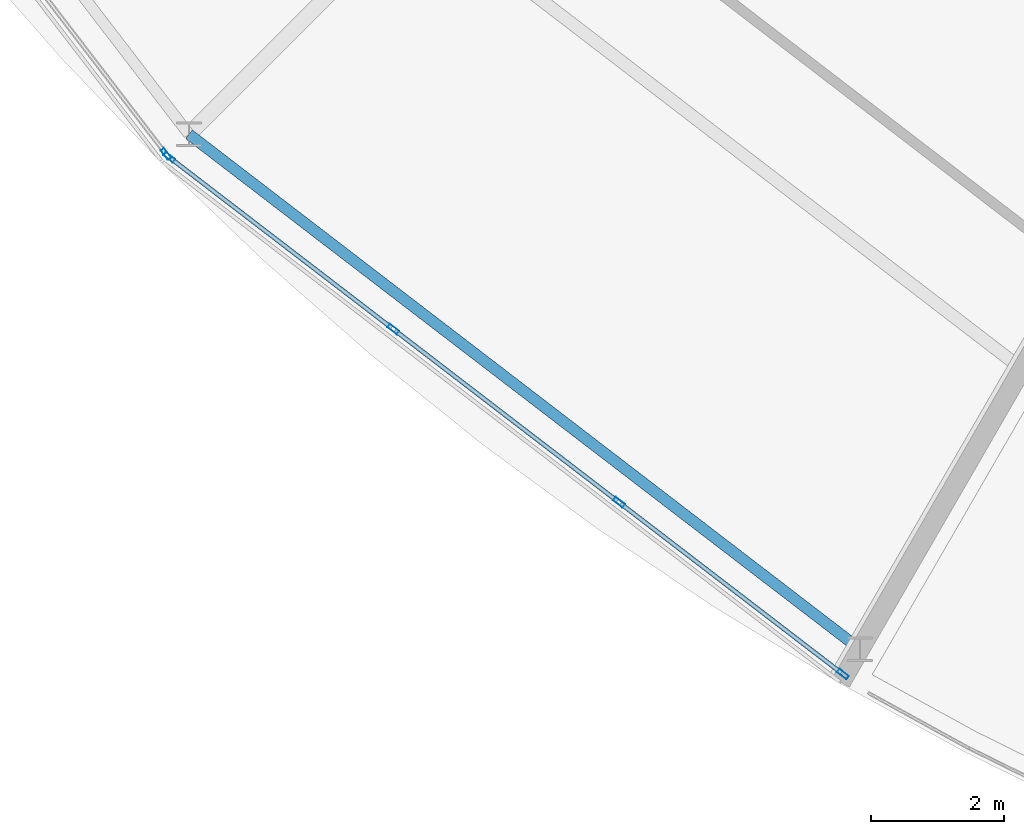
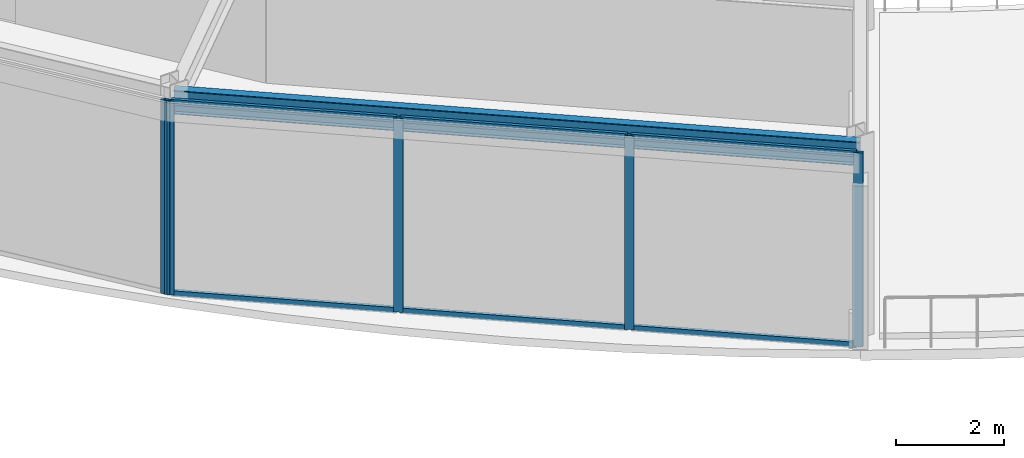
# One storey, part 26 of 157: 11 members, 1 beam, 2 elements without a shape of their own.
"""IFC4 building model written with IfcOpenShell, lengths in metres."""

from ifc_helpers import new_model, si_unit, direction, frame, origin, origin_2d, place, context, subcontext, project, spatial, hollow_rectangle, i_section, extrude, material, material_profile, profile_set, type_object, element, aggregate, save


model = new_model("IFC4")

# Units and contexts
model_context = context("Model", 3, precision=1e-05, world=origin(), true_north=direction((0.0, 1.0)))
body_context = subcontext(model_context, "Body", "Model", "MODEL_VIEW")
ifc_project = project(units=[si_unit("LENGTHUNIT", "METRE"), si_unit("AREAUNIT", "SQUARE_METRE"), si_unit("VOLUMEUNIT", "CUBIC_METRE"), si_unit("PLANEANGLEUNIT", "RADIAN"), si_unit("MASSUNIT", "GRAM", prefix="KILO")], contexts=[model_context])

# Site, building, storey
site_placement = place(None, origin())
site = spatial("IfcSite", under=ifc_project, at=site_placement, CompositionType="ELEMENT")
building_placement = place(site_placement, origin())
building = spatial("IfcBuilding", under=site, at=building_placement, Name="Almandine Court Research Institute", CompositionType="ELEMENT")
storey_placement = place(building_placement, frame((0.0, 0.0, 5.25)))
storey = spatial("IfcBuildingStorey", under=building, at=storey_placement, Name="L01", CompositionType="ELEMENT", Elevation=5.25)

# Beam
ifc_material_1 = material(Name="Steel ASTM A992 Grade 50", Category="steel")
ifc_material_profile_1 = material_profile(ifc_material_1, i_section(OverallWidth=0.166015625, OverallDepth=0.534912109375, WebThickness=0.010009765625, FlangeThickness=0.01708984375, at=origin_2d()), Name="W530x85")
ifc_profile_set_1 = profile_set([ifc_material_profile_1], Name="Steel ASTM A992 Grade 50")
beam_type = type_object("IfcBeamType", Name="Beam-G-05-E", PredefinedType="SPANDREL", material=ifc_profile_set_1)
beam_placement = place(storey_placement, frame((52.422119140625, 21.422119140625, 4.054931640625), z_axis=(0.793360662587, -0.608751886289, 0.0), x_axis=(0.608751886289, 0.793360662587, 0.0)))
element("IfcBeam", 1, at=beam_placement, inside=storey, type_object=beam_type, Name="L01 Drum OUT Ring Beam 15", PredefinedType="SPANDREL", context=body_context, shape_type="SweptSolid", body=[
    extrude(i_section(OverallWidth=0.166015625, OverallDepth=0.534912109375, WebThickness=0.010009765625, FlangeThickness=0.01708984375, at=origin_2d()), origin(), (0.0, 0.0, 1.0), 12.765869140625),
])

# Curtain wall, member
ifc_material_2 = material(Name="Unitised Curtain Wall Framing and Solar Glazing", Category="glass")
curtain_wall_type = type_object("IfcCurtainWallType", Name="CW-CWJ-19", PredefinedType="USERDEFINED", material=ifc_material_2)
curtain_wall_1_placement = place(storey_placement, origin())
curtain_wall_1 = element("IfcCurtainWall", 2, at=curtain_wall_1_placement, inside=storey, type_object=curtain_wall_type, Name="L01 Stacked-Ring Drum Outer Solar Jali Screen 14", ObjectType="SOLAR JALI SCREEN", PredefinedType="USERDEFINED")
ifc_material_3 = material(Name="Anodised Aluminium AW-6063-T6", Category="aluminium")
ifc_material_profile_2 = material_profile(ifc_material_3, hollow_rectangle(XDim=0.06494140625, YDim=0.179931640625, WallThickness=0.00390625, at=origin_2d()), Name="ALU RHS 65x180x4")
ifc_profile_set_2 = profile_set([ifc_material_profile_2], Name="Anodised Aluminium AW-6063-T6")
member_type_1 = type_object("IfcMemberType", Name="CWMul-65x180", PredefinedType="MULLION", material=ifc_profile_set_2)
member_1_placement = place(storey_placement, frame((52.07421875, 21.125732421875, 0.0), z_axis=(0.0, 0.0, 1.0), x_axis=(-0.793382586046, -0.608723313303, 0.0)))
member_1 = element("IfcMember", 3, at=member_1_placement, type_object=member_type_1, Name="CWJ-19 mullion 1", PredefinedType="MULLION", context=body_context, shape_type="SweptSolid", body=[
    extrude(hollow_rectangle(XDim=0.06494140625, YDim=0.179931640625, WallThickness=0.00390625, at=origin_2d()), origin(), (0.0, 0.0, 1.0), 4.3701171875),
])
aggregate(curtain_wall_1, [member_1])

# Curtain wall, members
curtain_wall_2_placement = place(storey_placement, origin())
curtain_wall_2 = element("IfcCurtainWall", 4, at=curtain_wall_2_placement, inside=storey, type_object=curtain_wall_type, Name="L01 Stacked-Ring Drum Outer Solar Jali Screen 15", ObjectType="SOLAR JALI SCREEN", PredefinedType="USERDEFINED")
member_2_placement = place(storey_placement, frame((62.291259765625, 13.27490234375, 0.0), z_axis=(0.0, 0.0, 1.0), x_axis=(-0.608723313303, -0.793382586046, 0.0)))
member_2 = element("IfcMember", 5, at=member_2_placement, type_object=member_type_1, Name="CWJ-19 mullion 1", PredefinedType="MULLION", context=body_context, shape_type="SweptSolid", body=[
    extrude(hollow_rectangle(XDim=0.06494140625, YDim=0.179931640625, WallThickness=0.00390625, at=origin_2d()), origin(), (0.0, 0.0, 1.0), 4.3701171875),
])
member_3_placement = place(storey_placement, frame((58.911376953125, 15.867919921875, 0.0), z_axis=(0.0, 0.0, 1.0), x_axis=(-0.608723313303, -0.793382586046, 0.0)))
member_3 = element("IfcMember", 6, at=member_3_placement, type_object=member_type_1, Name="CWJ-19 mullion 2", PredefinedType="MULLION", context=body_context, shape_type="SweptSolid", body=[
    extrude(hollow_rectangle(XDim=0.06494140625, YDim=0.179931640625, WallThickness=0.00390625, at=origin_2d()), origin(), (0.0, 0.0, 1.0), 4.3701171875),
])
member_4_placement = place(storey_placement, frame((55.505615234375, 18.48095703125, 0.0), z_axis=(0.0, 0.0, 1.0), x_axis=(-0.608723313303, -0.793382586046, 0.0)))
member_4 = element("IfcMember", 7, at=member_4_placement, type_object=member_type_1, Name="CWJ-19 mullion 3", PredefinedType="MULLION", context=body_context, shape_type="SweptSolid", body=[
    extrude(hollow_rectangle(XDim=0.06494140625, YDim=0.179931640625, WallThickness=0.00390625, at=origin_2d()), origin(), (0.0, 0.0, 1.0), 4.3701171875),
])
member_5_placement = place(storey_placement, frame((52.125732421875, 21.07421875, 0.0), z_axis=(0.0, 0.0, 1.0), x_axis=(-0.608723313303, -0.793382586046, 0.0)))
member_5 = element("IfcMember", 8, at=member_5_placement, type_object=member_type_1, Name="CWJ-19 mullion 4", PredefinedType="MULLION", context=body_context, shape_type="SweptSolid", body=[
    extrude(hollow_rectangle(XDim=0.06494140625, YDim=0.179931640625, WallThickness=0.00390625, at=origin_2d()), origin(), (0.0, 0.0, 1.0), 4.3701171875),
])
ifc_material_profile_3 = material_profile(ifc_material_3, hollow_rectangle(XDim=0.06494140625, YDim=0.1298828125, WallThickness=0.00390625, at=origin_2d()), Name="ALU RHS 65x130x4")
ifc_profile_set_3 = profile_set([ifc_material_profile_3], Name="Anodised Aluminium AW-6063-T6")
member_type_2 = type_object("IfcMemberType", Name="CWTrn-65x130", PredefinedType="NOTDEFINED", material=ifc_profile_set_3)
member_6_placement = place(storey_placement, frame((62.265380859375, 13.294677734375, 0.032470703125), z_axis=(-0.793408675449, 0.608689308041, 0.0), x_axis=(-0.608689308041, -0.793408675449, 0.0)))
member_6 = element("IfcMember", 9, at=member_6_placement, type_object=member_type_2, Name="CWJ-19 transom 1.1", ObjectType="TRANSOM", PredefinedType="USERDEFINED", context=body_context, shape_type="SweptSolid", body=[
    extrude(hollow_rectangle(XDim=0.06494140625, YDim=0.1298828125, WallThickness=0.00390625, at=origin_2d()), origin(), (0.0, 0.0, 1.0), 4.195068359375),
])
member_7_placement = place(storey_placement, frame((62.265380859375, 13.294677734375, 4.33740234375), z_axis=(-0.793408675449, 0.608689308041, 0.0), x_axis=(-0.608689308041, -0.793408675449, 0.0)))
member_7 = element("IfcMember", 10, at=member_7_placement, type_object=member_type_2, Name="CWJ-19 transom 1.2", ObjectType="TRANSOM", PredefinedType="USERDEFINED", context=body_context, shape_type="SweptSolid", body=[
    extrude(hollow_rectangle(XDim=0.06494140625, YDim=0.1298828125, WallThickness=0.00390625, at=origin_2d()), origin(), (0.0, 0.0, 1.0), 4.195068359375),
])
member_8_placement = place(storey_placement, frame((58.885498046875, 15.8876953125, 0.032470703125), z_axis=(-0.793368349931, 0.608741867566, 0.0), x_axis=(-0.608741867566, -0.793368349931, 0.0)))
member_8 = element("IfcMember", 11, at=member_8_placement, type_object=member_type_2, Name="CWJ-19 transom 2.1", ObjectType="TRANSOM", PredefinedType="USERDEFINED", context=body_context, shape_type="SweptSolid", body=[
    extrude(hollow_rectangle(XDim=0.06494140625, YDim=0.1298828125, WallThickness=0.00390625, at=origin_2d()), origin(), (0.0, 0.0, 1.0), 4.2275390625),
])
member_9_placement = place(storey_placement, frame((58.885498046875, 15.8876953125, 4.33740234375), z_axis=(-0.793368349931, 0.608741867566, 0.0), x_axis=(-0.608741867566, -0.793368349931, 0.0)))
member_9 = element("IfcMember", 12, at=member_9_placement, type_object=member_type_2, Name="CWJ-19 transom 2.2", ObjectType="TRANSOM", PredefinedType="USERDEFINED", context=body_context, shape_type="SweptSolid", body=[
    extrude(hollow_rectangle(XDim=0.06494140625, YDim=0.1298828125, WallThickness=0.00390625, at=origin_2d()), origin(), (0.0, 0.0, 1.0), 4.2275390625),
])
member_10_placement = place(storey_placement, frame((55.47998046875, 18.500732421875, 0.032470703125), z_axis=(-0.793380569658, 0.608725941364, 0.0), x_axis=(-0.608725941364, -0.793380569658, 0.0)))
member_10 = element("IfcMember", 13, at=member_10_placement, type_object=member_type_2, Name="CWJ-19 transom 3.1", ObjectType="TRANSOM", PredefinedType="USERDEFINED", context=body_context, shape_type="SweptSolid", body=[
    extrude(hollow_rectangle(XDim=0.06494140625, YDim=0.1298828125, WallThickness=0.00390625, at=origin_2d()), origin(), (0.0, 0.0, 1.0), 4.195068359375),
])
member_11_placement = place(storey_placement, frame((55.47998046875, 18.500732421875, 4.33740234375), z_axis=(-0.793380569658, 0.608725941364, 0.0), x_axis=(-0.608725941364, -0.793380569658, 0.0)))
member_11 = element("IfcMember", 14, at=member_11_placement, type_object=member_type_2, Name="CWJ-19 transom 3.2", ObjectType="TRANSOM", PredefinedType="USERDEFINED", context=body_context, shape_type="SweptSolid", body=[
    extrude(hollow_rectangle(XDim=0.06494140625, YDim=0.1298828125, WallThickness=0.00390625, at=origin_2d()), origin(), (0.0, 0.0, 1.0), 4.195068359375),
])
aggregate(curtain_wall_2, [member_2, member_3, member_4, member_5, member_6, member_7, member_8, member_9, member_10, member_11])

save(model, "model.ifc")
